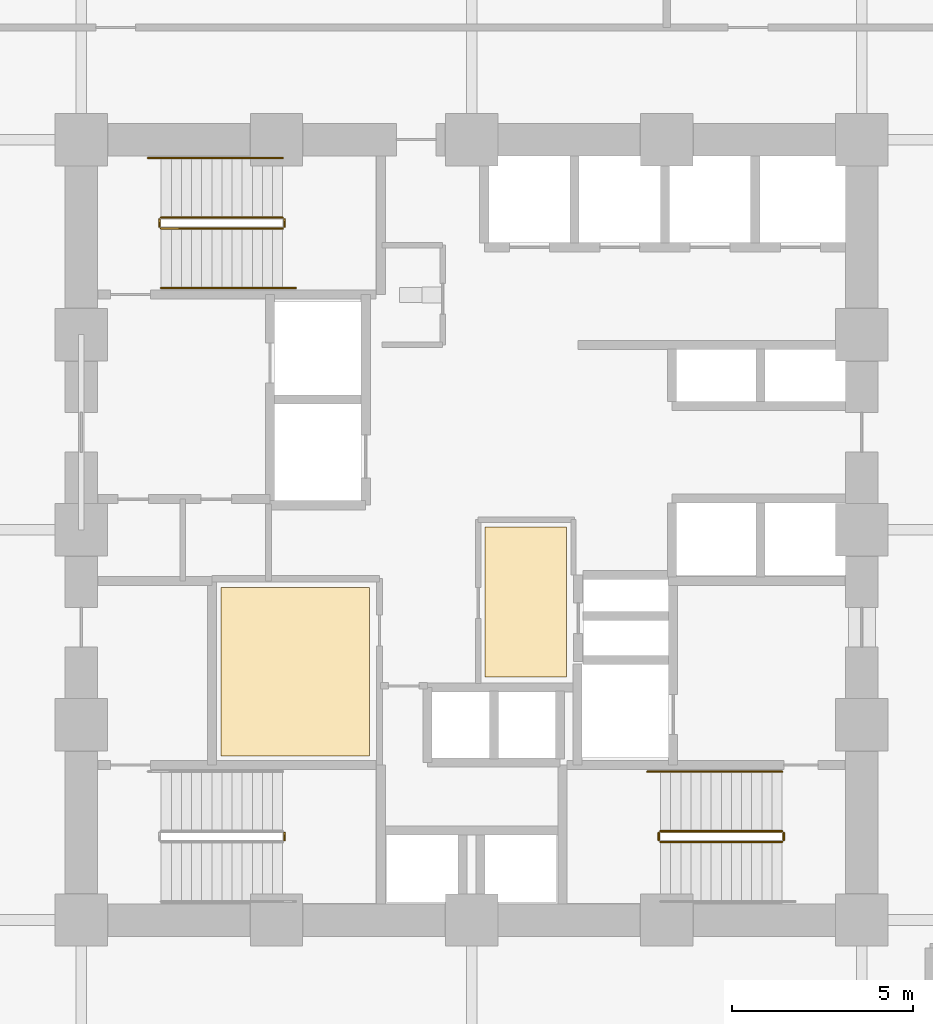
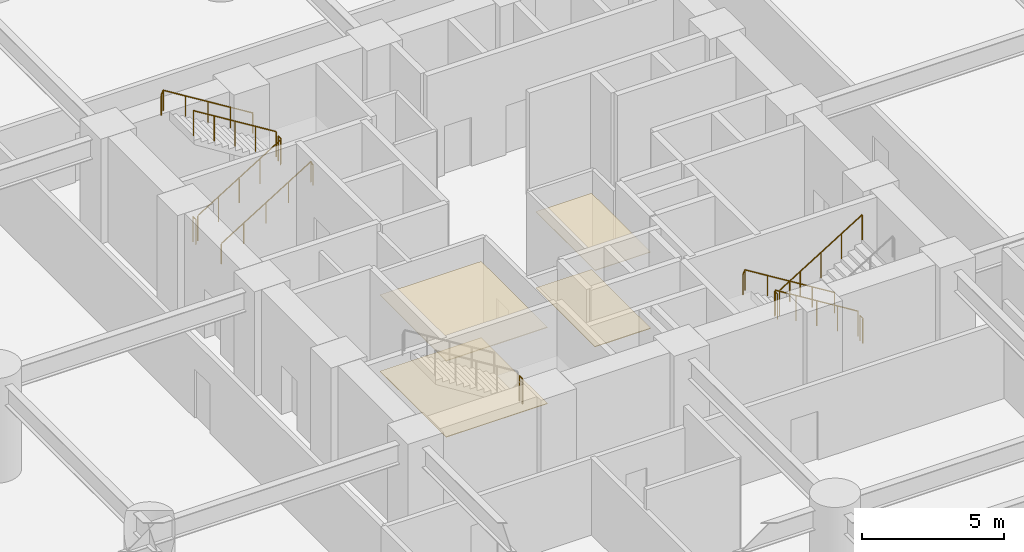
# One storey, part 33 of 35: 12 railings, 4 coverings.
"""IFC4 building model written with IfcOpenShell, lengths in metres."""

from ifc_helpers import new_model, si_unit, direction, frame, origin, origin_2d, place, context, subcontext, project, spatial, polyline, circle, outline, extrude, material, layer, layer_set, type_object, element, save


model = new_model("IFC4")

# Units and contexts
model_context = context("Model", 3, precision=1e-05, world=origin(), true_north=direction((0.0, 1.0)))
body_context = subcontext(model_context, "Body", "Model", "MODEL_VIEW")
ifc_project = project(units=[si_unit("LENGTHUNIT", "METRE"), si_unit("AREAUNIT", "SQUARE_METRE"), si_unit("VOLUMEUNIT", "CUBIC_METRE"), si_unit("PLANEANGLEUNIT", "RADIAN"), si_unit("MASSUNIT", "GRAM", prefix="KILO")], contexts=[model_context])

# Site, building, storey
site_placement = place(None, origin())
site = spatial("IfcSite", under=ifc_project, at=site_placement, CompositionType="ELEMENT")
building_placement = place(site_placement, origin())
building = spatial("IfcBuilding", under=site, at=building_placement, Name="Surkhivell Harbour Commons", CompositionType="ELEMENT")
storey_placement = place(building_placement, frame((0.0, 0.0, 13.5)))
storey = spatial("IfcBuildingStorey", under=building, at=storey_placement, Name="L03", CompositionType="ELEMENT", Elevation=13.5)

# Coverings
ifc_material_1 = material(Name="Perforated acoustic mineral-fibre ceiling tile", Category="other")
ifc_layer_1 = layer(ifc_material_1, 0.02490234375)
ifc_layer_set_1 = layer_set([ifc_layer_1], Name="Perforated acoustic mineral-fibre ceiling tile")
covering_type_1 = type_object("IfcCoveringType", Name="COV-CEIL-AC", PredefinedType="CEILING", material=ifc_layer_set_1)
covering_1_placement = place(storey_placement, frame((0.0, 0.0, 3.27392578125)))
element("IfcCovering", 1, at=covering_1_placement, inside=storey, type_object=covering_type_1, Name="L03 Suspended Acoustic Ceiling 1", PredefinedType="CEILING", context=body_context, shape_type="SweptSolid", body=[
    extrude(outline(polyline([(0.3701171875, -4.080078125), (2.6298828125, -4.080078125), (2.6298828125, 0.080078125), (0.3701171875, 0.080078125), (0.3701171875, -4.080078125)])), origin(), (0.0, 0.0, 1.0), 0.025146484375),
])
ifc_material_2 = material(Name="Moisture-resistant gypsum acoustic ceiling board", Category="other")
ifc_layer_2 = layer(ifc_material_2, 0.030029296875)
ifc_layer_set_2 = layer_set([ifc_layer_2], Name="Moisture-resistant gypsum acoustic ceiling board")
covering_type_2 = type_object("IfcCoveringType", Name="COV-CEIL-GYP", PredefinedType="CEILING", material=ifc_layer_set_2)
covering_2_placement = place(storey_placement, frame((0.0, 0.0, 3.26904296875)))
element("IfcCovering", 2, at=covering_2_placement, inside=storey, type_object=covering_type_2, Name="L03 Suspended Acoustic Ceiling 2", PredefinedType="CEILING", context=body_context, shape_type="SweptSolid", body=[
    extrude(outline(polyline([(-6.929931640625, -6.260009765625), (-2.820068359375, -6.260009765625), (-2.820068359375, -1.60009765625), (-6.929931640625, -1.60009765625), (-6.929931640625, -6.260009765625)])), origin(), (0.0, 0.0, 1.0), 0.030029296875),
])
ifc_material_3 = material(Name="Honed terrazzo and porcelain floor finish", Category="masonry")
ifc_layer_3 = layer(ifc_material_3, 0.02490234375)
ifc_layer_set_3 = layer_set([ifc_layer_3], Name="Honed terrazzo and porcelain floor finish")
covering_type_3 = type_object("IfcCoveringType", Name="COV-FLR-TER", PredefinedType="FLOORING", material=ifc_layer_set_3)
covering_3_placement = place(storey_placement, origin())
element("IfcCovering", 3, at=covering_3_placement, inside=storey, type_object=covering_type_3, Name="L03 Interior Floor Finish 1", PredefinedType="FLOORING", context=body_context, shape_type="SweptSolid", body=[
    extrude(outline(polyline([(0.3701171875, -4.080078125), (2.6298828125, -4.080078125), (2.6298828125, 0.080078125), (0.3701171875, 0.080078125), (0.3701171875, -4.080078125)])), origin(), (0.0, 0.0, 1.0), 0.02490234375),
])
covering_4_placement = place(storey_placement, origin())
element("IfcCovering", 4, at=covering_4_placement, inside=storey, type_object=covering_type_3, Name="L03 Interior Floor Finish 2", PredefinedType="FLOORING", context=body_context, shape_type="SweptSolid", body=[
    extrude(outline(polyline([(-6.929931640625, -6.260009765625), (-2.820068359375, -6.260009765625), (-2.820068359375, -1.60009765625), (-6.929931640625, -1.60009765625), (-6.929931640625, -6.260009765625)])), origin(), (0.0, 0.0, 1.0), 0.02490234375),
])

# Railings
ifc_material_4 = material(Name="Galvanised and painted steel S355 guard rail", Category="steel")
railing_type_1 = type_object("IfcRailingType", Name="RAL-ST-GRD1100", PredefinedType="GUARDRAIL", material=ifc_material_4)
railing_1_placement = place(storey_placement, frame((-8.590087890625, 8.340087890625, 0.173095703125)))
element("IfcRailing", 5, at=railing_1_placement, inside=storey, type_object=railing_type_1, Name="L03 ST1 stair guard 1", PredefinedType="GUARDRAIL", context=body_context, shape_type="SweptSolid", body=[
    extrude(circle(Radius=0.02392578125, at=origin_2d()), frame((0.0, 0.0, 1.076171875), z_axis=(0.850623216509, 0.0, 0.525775754039), x_axis=(0.0, 1.0, 0.0)), (0.0, 0.0, 1.0), 3.9501953125),
    extrude(circle(Radius=0.02099609375, at=origin_2d()), origin(), (0.0, 0.0, 1.0), 1.052001953125),
    extrude(circle(Radius=0.02099609375, at=origin_2d()), frame((0.840087890625, 0.0, 0.519287109375)), (0.0, 0.0, 1.0), 1.052001953125),
    extrude(circle(Radius=0.02099609375, at=origin_2d()), frame((1.68017578125, 0.0, 1.03857421875)), (0.0, 0.0, 1.0), 1.052001953125),
    extrude(circle(Radius=0.02099609375, at=origin_2d()), frame((2.52001953125, 0.0, 1.5576171875)), (0.0, 0.0, 1.0), 1.052001953125),
    extrude(circle(Radius=0.02099609375, at=origin_2d()), frame((3.360107421875, 0.0, 2.076904296875)), (0.0, 0.0, 1.0), 1.052001953125),
])
railing_2_placement = place(storey_placement, frame((-5.179931640625, 8.389892578125, 2.25)))
element("IfcRailing", 6, at=railing_2_placement, inside=storey, type_object=railing_type_1, Name="L03 ST1 stair guard 2", PredefinedType="GUARDRAIL", context=body_context, shape_type="SweptSolid", body=[
    extrude(circle(Radius=0.02392578125, at=origin_2d()), frame((0.0, 0.0, 1.076171875), z_axis=(0.0, 1.0, 0.0), x_axis=(-1.0, 0.0, 0.0)), (0.0, 0.0, 1.0), 0.2001953125),
    extrude(circle(Radius=0.02099609375, at=origin_2d()), origin(), (0.0, 0.0, 1.0), 1.052001953125),
    extrude(circle(Radius=0.02099609375, at=origin_2d()), frame((0.0, 0.2001953125, 0.0)), (0.0, 0.0, 1.0), 1.052001953125),
])
railing_3_placement = place(storey_placement, frame((-5.22998046875, 8.639892578125, 2.423095703125)))
element("IfcRailing", 7, at=railing_3_placement, inside=storey, type_object=railing_type_1, Name="L03 ST1 stair guard 3", PredefinedType="GUARDRAIL", context=body_context, shape_type="SweptSolid", body=[
    extrude(circle(Radius=0.02392578125, at=origin_2d()), frame((0.0, 0.0, 1.076171875), z_axis=(-0.850623216509, 0.0, 0.525775754039), x_axis=(0.0, -1.0, 0.0)), (0.0, 0.0, 1.0), 3.9501953125),
    extrude(circle(Radius=0.02099609375, at=origin_2d()), origin(), (0.0, 0.0, 1.0), 1.052001953125),
    extrude(circle(Radius=0.02099609375, at=origin_2d()), frame((-0.840087890625, 0.0, 0.519287109375)), (0.0, 0.0, 1.0), 1.052001953125),
    extrude(circle(Radius=0.02099609375, at=origin_2d()), frame((-1.68017578125, 0.0, 1.03857421875)), (0.0, 0.0, 1.0), 1.052001953125),
    extrude(circle(Radius=0.02099609375, at=origin_2d()), frame((-2.52001953125, 0.0, 1.5576171875)), (0.0, 0.0, 1.0), 1.052001953125),
    extrude(circle(Radius=0.02099609375, at=origin_2d()), frame((-3.360107421875, 0.0, 2.076904296875)), (0.0, 0.0, 1.0), 1.052001953125),
])
railing_4_placement = place(storey_placement, frame((-8.639892578125, 8.389892578125, 0.0)))
element("IfcRailing", 8, at=railing_4_placement, inside=storey, type_object=railing_type_1, Name="L03 ST1 stair guard 4", PredefinedType="GUARDRAIL", context=body_context, shape_type="SweptSolid", body=[
    extrude(circle(Radius=0.02392578125, at=origin_2d()), frame((0.0, 0.0, 1.076171875), z_axis=(0.0, 1.0, 0.0), x_axis=(-1.0, 0.0, 0.0)), (0.0, 0.0, 1.0), 0.2001953125),
    extrude(circle(Radius=0.02099609375, at=origin_2d()), origin(), (0.0, 0.0, 1.0), 1.052001953125),
    extrude(circle(Radius=0.02099609375, at=origin_2d()), frame((0.0, 0.2001953125, 0.0)), (0.0, 0.0, 1.0), 1.052001953125),
])
railing_5_placement = place(storey_placement, frame((8.590087890625, -8.340087890625, 0.173095703125)))
element("IfcRailing", 9, at=railing_5_placement, inside=storey, type_object=railing_type_1, Name="L03 ST2 stair guard 1", PredefinedType="GUARDRAIL", context=body_context, shape_type="SweptSolid", body=[
    extrude(circle(Radius=0.02392578125, at=origin_2d()), frame((0.0, 0.0, 1.076171875), z_axis=(-0.850623216509, 0.0, 0.525775754039), x_axis=(0.0, -1.0, 0.0)), (0.0, 0.0, 1.0), 3.9501953125),
    extrude(circle(Radius=0.02099609375, at=origin_2d()), origin(), (0.0, 0.0, 1.0), 1.052001953125),
    extrude(circle(Radius=0.02099609375, at=origin_2d()), frame((-0.840087890625, 0.0, 0.519287109375)), (0.0, 0.0, 1.0), 1.052001953125),
    extrude(circle(Radius=0.02099609375, at=origin_2d()), frame((-1.68017578125, 0.0, 1.03857421875)), (0.0, 0.0, 1.0), 1.052001953125),
    extrude(circle(Radius=0.02099609375, at=origin_2d()), frame((-2.52001953125, 0.0, 1.5576171875)), (0.0, 0.0, 1.0), 1.052001953125),
    extrude(circle(Radius=0.02099609375, at=origin_2d()), frame((-3.360107421875, 0.0, 2.076904296875)), (0.0, 0.0, 1.0), 1.052001953125),
])
railing_6_placement = place(storey_placement, frame((5.179931640625, -8.389892578125, 2.25)))
element("IfcRailing", 10, at=railing_6_placement, inside=storey, type_object=railing_type_1, Name="L03 ST2 stair guard 2", PredefinedType="GUARDRAIL", context=body_context, shape_type="SweptSolid", body=[
    extrude(circle(Radius=0.02392578125, at=origin_2d()), frame((0.0, 0.0, 1.076171875), z_axis=(0.0, -1.0, 0.0), x_axis=(1.0, 0.0, 0.0)), (0.0, 0.0, 1.0), 0.2001953125),
    extrude(circle(Radius=0.02099609375, at=origin_2d()), origin(), (0.0, 0.0, 1.0), 1.052001953125),
    extrude(circle(Radius=0.02099609375, at=origin_2d()), frame((0.0, -0.2001953125, 0.0)), (0.0, 0.0, 1.0), 1.052001953125),
])
railing_7_placement = place(storey_placement, frame((5.22998046875, -8.639892578125, 2.423095703125)))
element("IfcRailing", 11, at=railing_7_placement, inside=storey, type_object=railing_type_1, Name="L03 ST2 stair guard 3", PredefinedType="GUARDRAIL", context=body_context, shape_type="SweptSolid", body=[
    extrude(circle(Radius=0.02392578125, at=origin_2d()), frame((0.0, 0.0, 1.076171875), z_axis=(0.850623216509, 0.0, 0.525775754039), x_axis=(0.0, 1.0, 0.0)), (0.0, 0.0, 1.0), 3.9501953125),
    extrude(circle(Radius=0.02099609375, at=origin_2d()), origin(), (0.0, 0.0, 1.0), 1.052001953125),
    extrude(circle(Radius=0.02099609375, at=origin_2d()), frame((0.840087890625, 0.0, 0.519287109375)), (0.0, 0.0, 1.0), 1.052001953125),
    extrude(circle(Radius=0.02099609375, at=origin_2d()), frame((1.68017578125, 0.0, 1.03857421875)), (0.0, 0.0, 1.0), 1.052001953125),
    extrude(circle(Radius=0.02099609375, at=origin_2d()), frame((2.52001953125, 0.0, 1.5576171875)), (0.0, 0.0, 1.0), 1.052001953125),
    extrude(circle(Radius=0.02099609375, at=origin_2d()), frame((3.360107421875, 0.0, 2.076904296875)), (0.0, 0.0, 1.0), 1.052001953125),
])
railing_8_placement = place(storey_placement, frame((8.639892578125, -8.389892578125, 0.0)))
element("IfcRailing", 12, at=railing_8_placement, inside=storey, type_object=railing_type_1, Name="L03 ST2 stair guard 4", PredefinedType="GUARDRAIL", context=body_context, shape_type="SweptSolid", body=[
    extrude(circle(Radius=0.02392578125, at=origin_2d()), frame((0.0, 0.0, 1.076171875), z_axis=(0.0, -1.0, 0.0), x_axis=(1.0, 0.0, 0.0)), (0.0, 0.0, 1.0), 0.2001953125),
    extrude(circle(Radius=0.02099609375, at=origin_2d()), origin(), (0.0, 0.0, 1.0), 1.052001953125),
    extrude(circle(Radius=0.02099609375, at=origin_2d()), frame((0.0, -0.2001953125, 0.0)), (0.0, 0.0, 1.0), 1.052001953125),
])
railing_9_placement = place(storey_placement, frame((-5.179931640625, -8.590087890625, 2.25)))
element("IfcRailing", 13, at=railing_9_placement, inside=storey, type_object=railing_type_1, Name="L03 ST3 stair guard 2", PredefinedType="GUARDRAIL", context=body_context, shape_type="SweptSolid", body=[
    extrude(circle(Radius=0.02392578125, at=origin_2d()), frame((0.0, 0.0, 1.076171875), z_axis=(0.0, 1.0, 0.0), x_axis=(-1.0, 0.0, 0.0)), (0.0, 0.0, 1.0), 0.2001953125),
    extrude(circle(Radius=0.02099609375, at=origin_2d()), origin(), (0.0, 0.0, 1.0), 1.052001953125),
    extrude(circle(Radius=0.02099609375, at=origin_2d()), frame((0.0, 0.2001953125, 0.0)), (0.0, 0.0, 1.0), 1.052001953125),
])
ifc_material_5 = material(Name="Brushed stainless steel S355 handrail", Category="steel")
railing_type_2 = type_object("IfcRailingType", Name="RAL-ST-HND900", PredefinedType="HANDRAIL", material=ifc_material_5)
railing_10_placement = place(storey_placement, frame((-8.590087890625, 6.68994140625, 0.173095703125)))
element("IfcRailing", 14, at=railing_10_placement, inside=storey, type_object=railing_type_2, Name="L03 ST1 stair handrail 1", PredefinedType="HANDRAIL", context=body_context, shape_type="SweptSolid", body=[
    extrude(circle(Radius=0.02392578125, at=origin_2d()), frame((0.0, 0.0, 0.8759765625), z_axis=(0.850622404505, 0.0, 0.525777067734), x_axis=(0.0, 1.0, 0.0)), (0.0, 0.0, 1.0), 4.279296875),
    extrude(circle(Radius=0.02392578125, at=origin_2d()), frame((3.64013671875, 0.0, 3.1259765625), z_axis=(0.418814502111, 0.0, -0.908071810388), x_axis=(0.0, 1.0, 0.0)), (0.0, 0.0, 1.0), 0.190673828125),
    extrude(circle(Radius=0.02099609375, at=origin_2d()), origin(), (0.0, 0.0, 1.0), 0.851806640625),
    extrude(circle(Radius=0.02099609375, at=origin_2d()), frame((0.91015625, 0.0, 0.5625)), (0.0, 0.0, 1.0), 0.851806640625),
    extrude(circle(Radius=0.02099609375, at=origin_2d()), frame((1.820068359375, 0.0, 1.125)), (0.0, 0.0, 1.0), 0.851806640625),
    extrude(circle(Radius=0.02099609375, at=origin_2d()), frame((2.72998046875, 0.0, 1.6875)), (0.0, 0.0, 1.0), 0.851806640625),
    extrude(circle(Radius=0.02099609375, at=origin_2d()), frame((3.64013671875, 0.0, 2.25)), (0.0, 0.0, 1.0), 0.851806640625),
    extrude(circle(Radius=0.02099609375, at=origin_2d()), frame((3.719970703125, 0.0, 2.076904296875)), (0.0, 0.0, 1.0), 0.851806640625),
])
for number, where, name in (
    (15, (-5.22998046875, 10.2900390625, 2.423095703125), "L03 ST1 stair handrail 2"),
    (16, (8.590087890625, -6.68994140625, 0.173095703125), "L03 ST2 stair handrail 1"),
):
    element("IfcRailing", number, at=place(storey_placement, frame(where)), inside=storey, type_object=railing_type_2, Name=name, PredefinedType="HANDRAIL", context=body_context, shape_type="SweptSolid", body=[
        extrude(circle(Radius=0.02392578125, at=origin_2d()), frame((0.0, 0.0, 0.8759765625), z_axis=(-0.850622404505, 0.0, 0.525777067734), x_axis=(0.0, -1.0, 0.0)), (0.0, 0.0, 1.0), 4.279296875),
        extrude(circle(Radius=0.02392578125, at=origin_2d()), frame((-3.64013671875, 0.0, 3.1259765625), z_axis=(-0.418814502111, 0.0, -0.908071810388), x_axis=(0.0, -1.0, 0.0)), (0.0, 0.0, 1.0), 0.190673828125),
        extrude(circle(Radius=0.02099609375, at=origin_2d()), origin(), (0.0, 0.0, 1.0), 0.851806640625),
        extrude(circle(Radius=0.02099609375, at=origin_2d()), frame((-0.91015625, 0.0, 0.5625)), (0.0, 0.0, 1.0), 0.851806640625),
        extrude(circle(Radius=0.02099609375, at=origin_2d()), frame((-1.820068359375, 0.0, 1.125)), (0.0, 0.0, 1.0), 0.851806640625),
        extrude(circle(Radius=0.02099609375, at=origin_2d()), frame((-2.72998046875, 0.0, 1.6875)), (0.0, 0.0, 1.0), 0.851806640625),
        extrude(circle(Radius=0.02099609375, at=origin_2d()), frame((-3.64013671875, 0.0, 2.25)), (0.0, 0.0, 1.0), 0.851806640625),
        extrude(circle(Radius=0.02099609375, at=origin_2d()), frame((-3.719970703125, 0.0, 2.076904296875)), (0.0, 0.0, 1.0), 0.851806640625),
    ])

save(model, "model.ifc")
